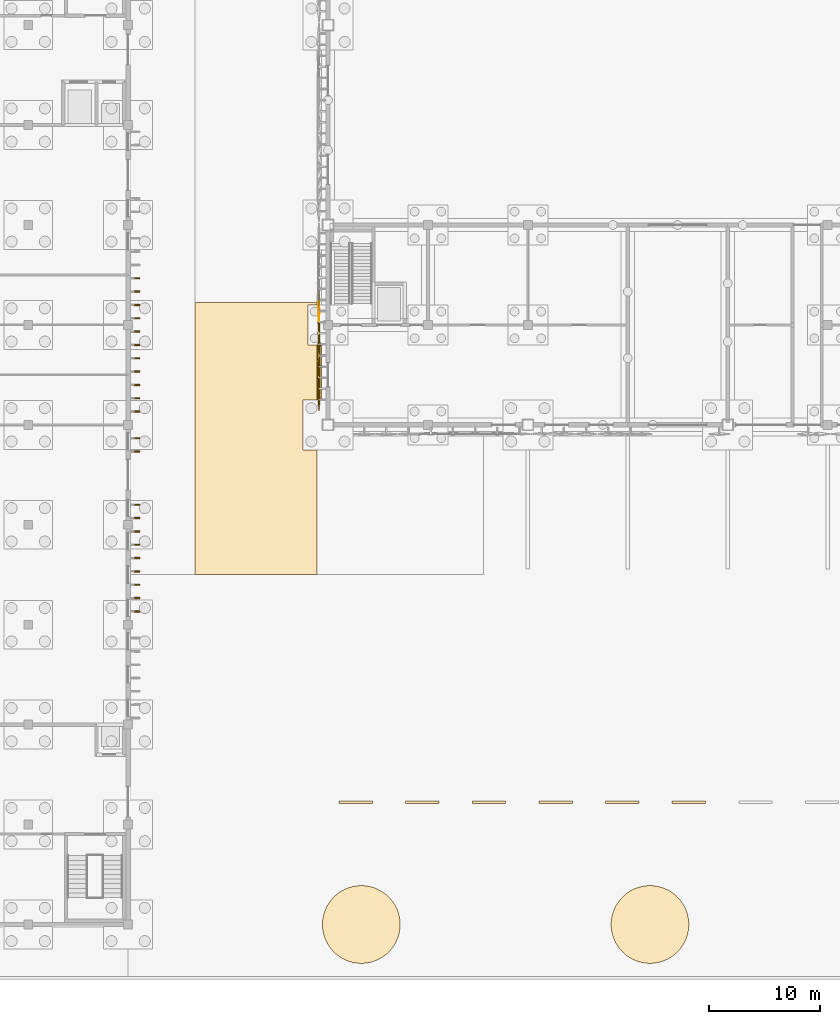
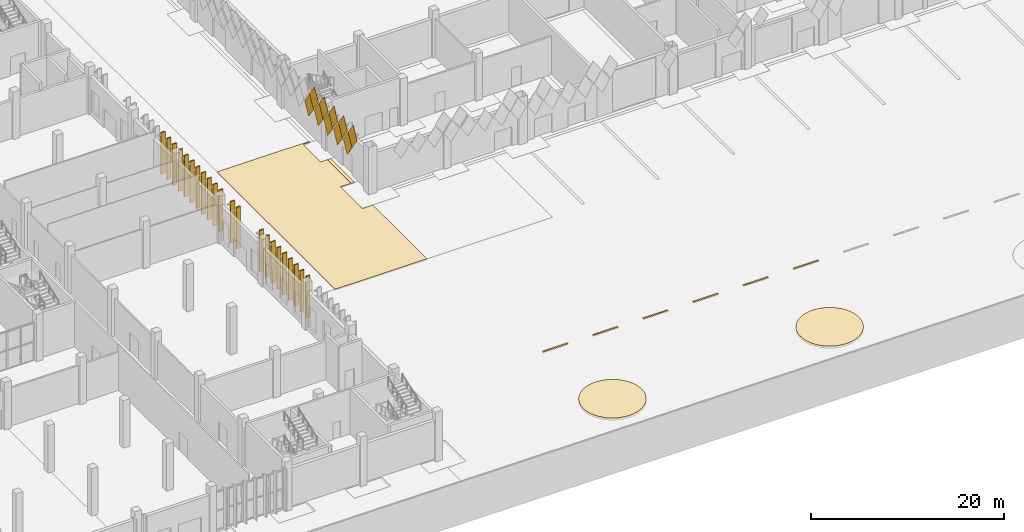
# One storey, part 140 of 198: 42 coverings.
"""IFC4 building model written with IfcOpenShell, lengths in metres."""

from ifc_helpers import new_model, si_unit, direction, frame, origin, origin_2d, place, context, subcontext, project, spatial, polyline, rectangle, outline, extrude, material, layer, layer_set, material_profile, profile_set, type_object, element, save


model = new_model("IFC4")

# Units and contexts
model_context = context("Model", 3, precision=1e-05, world=origin(), true_north=direction((0.0, 1.0)))
body_context = subcontext(model_context, "Body", "Model", "MODEL_VIEW")
ifc_project = project(units=[si_unit("LENGTHUNIT", "METRE"), si_unit("AREAUNIT", "SQUARE_METRE"), si_unit("VOLUMEUNIT", "CUBIC_METRE"), si_unit("PLANEANGLEUNIT", "RADIAN"), si_unit("MASSUNIT", "GRAM", prefix="KILO")], contexts=[model_context])

# Site, building, storey
site_placement = place(None, origin())
site = spatial("IfcSite", under=ifc_project, at=site_placement, CompositionType="ELEMENT")
building_placement = place(site_placement, origin())
building = spatial("IfcBuilding", under=site, at=building_placement, Name="Opaline Strait Convention Centre", CompositionType="ELEMENT")
storey_placement = place(building_placement, origin())
storey = spatial("IfcBuildingStorey", under=building, at=storey_placement, Name="L00", CompositionType="ELEMENT", Elevation=0.0)

# Coverings
ifc_material_1 = material(Name="White ceramic-faced aluminium tile", Category="aluminium")
ifc_material_profile_1 = material_profile(ifc_material_1, outline(polyline([(0.927978515625, 0.0), (0.0, 1.39208984375), (-0.927978515625, 0.0), (0.0, -1.39208984375), (0.927978515625, 0.0)])), Name="Diamond tile 1856x2784")
ifc_profile_set_1 = profile_set([ifc_material_profile_1], Name="White ceramic-faced aluminium tile")
covering_type_1 = type_object("IfcCoveringType", Name="Diamond wall tile 1856x2784x30 pivot 2.5 deg", PredefinedType="CLADDING", material=ifc_profile_set_1)
covering_1_placement = place(storey_placement, frame((98.199951171875, 64.25, 5.89208984375), z_axis=(-0.999174794796, 0.0, 0.040616861577), x_axis=(0.0, -1.0, 0.0)))
element("IfcCovering", 1, at=covering_1_placement, inside=storey, type_object=covering_type_1, Name="Wall tile XT05 W", PredefinedType="CLADDING", context=body_context, shape_type="SweptSolid", body=[
    extrude(outline(polyline([(0.927978515625, 0.0), (0.0, 1.39208984375), (-0.927978515625, 0.0), (0.0, -1.39208984375), (0.927978515625, 0.0)])), origin(), (0.0, 0.0, 1.0), 0.030029296875),
])
ifc_material_profile_2 = material_profile(ifc_material_1, outline(polyline([(0.927978515625, 0.0), (0.0, 1.39208984375), (-0.927978515625, 0.0), (0.0, -1.39208984375), (0.927978515625, 0.0)])), Name="Diamond tile 1856x2784")
ifc_profile_set_2 = profile_set([ifc_material_profile_2], Name="White ceramic-faced aluminium tile")
covering_type_2 = type_object("IfcCoveringType", Name="Diamond wall tile 1856x2784x30 pivot 3 deg", PredefinedType="CLADDING", material=ifc_profile_set_2)
for number, where, z_axis, x_axis, name in (
    (2, (98.199951171875, 65.25, 4.39208984375), (-0.998812351125, 0.0, 0.048722553713), (0.0, -1.0, 0.0), "Wall tile XT06 W"),
    (3, (98.199951171875, 57.25, 4.39208984375), (-0.998812351125, 0.0, 0.048722553713), (0.0, -1.0, 0.0), "Wall tile XT06 W"),
    (4, (98.199951171875, 56.25, 5.89208984375), (-0.998812351125, 0.0, 0.048722553713), (0.0, -1.0, 0.0), "Wall tile XT06 W"),
):
    element("IfcCovering", number, at=place(storey_placement, frame(where, z_axis=z_axis, x_axis=x_axis)), inside=storey, type_object=covering_type_2, Name=name, PredefinedType="CLADDING", context=body_context, shape_type="SweptSolid", body=[
        extrude(outline(polyline([(0.927978515625, 0.0), (0.0, 1.39208984375), (-0.927978515625, 0.0), (0.0, -1.39208984375), (0.927978515625, 0.0)])), origin(), (0.0, 0.0, 1.0), 0.030029296875),
    ])
ifc_material_profile_3 = material_profile(ifc_material_1, outline(polyline([(0.927978515625, 0.0), (0.0, 1.39208984375), (-0.927978515625, 0.0), (0.0, -1.39208984375), (0.927978515625, 0.0)])), Name="Diamond tile 1856x2784")
ifc_profile_set_3 = profile_set([ifc_material_profile_3], Name="White ceramic-faced aluminium tile")
covering_type_3 = type_object("IfcCoveringType", Name="Diamond wall tile 1856x2784x30 pivot 3.5 deg", PredefinedType="CLADDING", material=ifc_profile_set_3)
for number, where, z_axis, x_axis, name in (
    (5, (98.199951171875, 63.25, 4.39208984375), (-0.99835799028, 0.0, 0.057282835508), (0.0, -1.0, 0.0), "Wall tile XT07 W"),
    (6, (98.199951171875, 62.25, 5.89208984375), (-0.99835799028, 0.0, 0.057282835508), (0.0, -1.0, 0.0), "Wall tile XT07 W"),
    (7, (98.199951171875, 58.25, 5.89208984375), (-0.99835799028, 0.0, 0.057282835508), (0.0, -1.0, 0.0), "Wall tile XT07 W"),
):
    element("IfcCovering", number, at=place(storey_placement, frame(where, z_axis=z_axis, x_axis=x_axis)), inside=storey, type_object=covering_type_3, Name=name, PredefinedType="CLADDING", context=body_context, shape_type="SweptSolid", body=[
        extrude(outline(polyline([(0.927978515625, 0.0), (0.0, 1.39208984375), (-0.927978515625, 0.0), (0.0, -1.39208984375), (0.927978515625, 0.0)])), origin(), (0.0, 0.0, 1.0), 0.02978515625),
    ])
ifc_material_profile_4 = material_profile(ifc_material_1, outline(polyline([(0.927978515625, 0.0), (0.0, 1.39208984375), (-0.927978515625, 0.0), (0.0, -1.39208984375), (0.927978515625, 0.0)])), Name="Diamond tile 1856x2784")
ifc_profile_set_4 = profile_set([ifc_material_profile_4], Name="White ceramic-faced aluminium tile")
covering_type_4 = type_object("IfcCoveringType", Name="Diamond wall tile 1856x2784x30 pivot 4 deg", PredefinedType="CLADDING", material=ifc_profile_set_4)
for number, where, z_axis, x_axis, name in (
    (8, (98.199951171875, 59.25, 4.39208984375), (-0.99785694905, 0.0, 0.065433242561), (0.0, -1.0, 0.0), "Wall tile XT08 W"),
    (9, (98.199951171875, 60.25, 5.89208984375), (-0.99785694905, 0.0, 0.065433242561), (0.0, -1.0, 0.0), "Wall tile XT08 W"),
):
    element("IfcCovering", number, at=place(storey_placement, frame(where, z_axis=z_axis, x_axis=x_axis)), inside=storey, type_object=covering_type_4, Name=name, PredefinedType="CLADDING", context=body_context, shape_type="SweptSolid", body=[
        extrude(outline(polyline([(0.927978515625, 0.0), (0.0, 1.39208984375), (-0.927978515625, 0.0), (0.0, -1.39208984375), (0.927978515625, 0.0)])), origin(), (0.0, 0.0, 1.0), 0.02978515625),
    ])
ifc_material_profile_5 = material_profile(ifc_material_1, outline(polyline([(0.927978515625, 0.0), (0.0, 1.39208984375), (-0.927978515625, 0.0), (0.0, -1.39208984375), (0.927978515625, 0.0)])), Name="Diamond tile 1856x2784")
ifc_profile_set_5 = profile_set([ifc_material_profile_5], Name="White ceramic-faced aluminium tile")
covering_type_5 = type_object("IfcCoveringType", Name="Diamond wall tile 1856x2784x30 pivot 4.5 deg", PredefinedType="CLADDING", material=ifc_profile_set_5)
covering_2_placement = place(storey_placement, frame((98.199951171875, 61.25, 4.39208984375), z_axis=(-0.997290013252, 0.0, 0.073570574748), x_axis=(0.0, -1.0, 0.0)))
element("IfcCovering", 10, at=covering_2_placement, inside=storey, type_object=covering_type_5, Name="Wall tile XT09 W", PredefinedType="CLADDING", context=body_context, shape_type="SweptSolid", body=[
    extrude(outline(polyline([(0.927978515625, 0.0), (0.0, 1.39208984375), (-0.927978515625, 0.0), (0.0, -1.39208984375), (0.927978515625, 0.0)])), origin(), (0.0, 0.0, 1.0), 0.02978515625),
])
ifc_material_2 = material(Name="Limestone paving slabs on mortar bed", Category="masonry")
ifc_layer_1 = layer(ifc_material_2, 0.14990234375)
ifc_layer_set_1 = layer_set([ifc_layer_1], Name="Limestone paving slabs on mortar bed")
covering_type_6 = type_object("IfcCoveringType", Name="Limestone court paving 150", PredefinedType="FLOORING", material=ifc_layer_set_1)
covering_3_placement = place(storey_placement, frame((0.0, 0.0, -0.14990234375)))
element("IfcCovering", 11, at=covering_3_placement, inside=storey, type_object=covering_type_6, Name="West Court surfacing", PredefinedType="FLOORING", context=body_context, shape_type="SweptSolid", body=[
    extrude(outline(polyline([(87.0, 40.5), (98.0, 40.5), (98.0, 51.7451171875), (96.7451171875, 51.7451171875), (96.7451171875, 56.2548828125), (98.0, 56.2548828125), (98.0, 61.195068359375), (97.195068359375, 61.195068359375), (97.195068359375, 64.804931640625), (98.0, 64.804931640625), (98.0, 65.0), (87.0, 65.0), (87.0, 40.5)])), origin(), (0.0, 0.0, 1.0), 0.14990234375),
])
ifc_material_3 = material(Name="Planting soil and shrub planting")
ifc_layer_2 = layer(ifc_material_3, 0.300048828125)
ifc_layer_set_2 = layer_set([ifc_layer_2], Name="Planting soil and shrub planting")
covering_type_7 = type_object("IfcCoveringType", Name="Planted border bed 300", PredefinedType="USERDEFINED", material=ifc_layer_set_2)
covering_4_placement = place(storey_placement, frame((0.0, 0.0, -0.300048828125)))
element("IfcCovering", 12, at=covering_4_placement, inside=storey, type_object=covering_type_7, Name="Yard planting island 1 surfacing", ObjectType="LANDSCAPE", PredefinedType="USERDEFINED", context=body_context, shape_type="SweptSolid", body=[
    extrude(outline(polyline([(105.4326171875, 8.317138671875), (105.47021484375, 8.543212890625), (105.492431640625, 8.77099609375), (105.5, 9.0), (105.492431640625, 9.22900390625), (105.47021484375, 9.456787109375), (105.4326171875, 9.682861328125), (105.380615234375, 9.906005859375), (105.314208984375, 10.125), (105.233642578125, 10.33935546875), (105.13916015625, 10.548095703125), (105.031005859375, 10.75), (104.91015625, 10.944580078125), (104.776611328125, 11.130615234375), (104.63134765625, 11.3076171875), (104.474853515625, 11.474853515625), (104.3076171875, 11.63134765625), (104.130615234375, 11.776611328125), (103.944580078125, 11.91015625), (103.75, 12.031005859375), (103.548095703125, 12.13916015625), (103.33935546875, 12.233642578125), (103.125, 12.314208984375), (102.906005859375, 12.380615234375), (102.682861328125, 12.4326171875), (102.456787109375, 12.47021484375), (102.22900390625, 12.492431640625), (102.0, 12.5), (101.77099609375, 12.492431640625), (101.543212890625, 12.47021484375), (101.317138671875, 12.4326171875), (101.093994140625, 12.380615234375), (100.875, 12.314208984375), (100.66064453125, 12.233642578125), (100.451904296875, 12.13916015625), (100.25, 12.031005859375), (100.055419921875, 11.91015625), (99.869384765625, 11.776611328125), (99.6923828125, 11.63134765625), (99.525146484375, 11.474853515625), (99.36865234375, 11.3076171875), (99.223388671875, 11.130615234375), (99.08984375, 10.944580078125), (98.968994140625, 10.75), (98.86083984375, 10.548095703125), (98.766357421875, 10.33935546875), (98.685791015625, 10.125), (98.619384765625, 9.906005859375), (98.5673828125, 9.682861328125), (98.52978515625, 9.456787109375), (98.507568359375, 9.22900390625), (98.5, 9.0), (98.507568359375, 8.77099609375), (98.52978515625, 8.543212890625), (98.5673828125, 8.317138671875), (98.619384765625, 8.093994140625), (98.685791015625, 7.875), (98.766357421875, 7.66064453125), (98.86083984375, 7.451904296875), (98.968994140625, 7.25), (99.08984375, 7.055419921875), (99.223388671875, 6.869384765625), (99.36865234375, 6.6923828125), (99.525146484375, 6.525146484375), (99.6923828125, 6.36865234375), (99.869384765625, 6.223388671875), (100.055419921875, 6.08984375), (100.25, 5.968994140625), (100.451904296875, 5.86083984375), (100.66064453125, 5.766357421875), (100.875, 5.685791015625), (101.093994140625, 5.619384765625), (101.317138671875, 5.5673828125), (101.543212890625, 5.52978515625), (101.77099609375, 5.507568359375), (102.0, 5.5), (102.22900390625, 5.507568359375), (102.456787109375, 5.52978515625), (102.682861328125, 5.5673828125), (102.906005859375, 5.619384765625), (103.125, 5.685791015625), (103.33935546875, 5.766357421875), (103.548095703125, 5.86083984375), (103.75, 5.968994140625), (103.944580078125, 6.08984375), (104.130615234375, 6.223388671875), (104.3076171875, 6.36865234375), (104.474853515625, 6.525146484375), (104.63134765625, 6.6923828125), (104.776611328125, 6.869384765625), (104.91015625, 7.055419921875), (105.031005859375, 7.25), (105.13916015625, 7.451904296875), (105.233642578125, 7.66064453125), (105.314208984375, 7.875), (105.380615234375, 8.093994140625), (105.4326171875, 8.317138671875)])), origin(), (0.0, 0.0, 1.0), 0.300048828125),
])
covering_5_placement = place(storey_placement, frame((0.0, 0.0, -0.300048828125)))
element("IfcCovering", 13, at=covering_5_placement, inside=storey, type_object=covering_type_7, Name="Yard planting island 2 surfacing", ObjectType="LANDSCAPE", PredefinedType="USERDEFINED", context=body_context, shape_type="SweptSolid", body=[
    extrude(outline(polyline([(131.4326171875, 8.317138671875), (131.47021484375, 8.543212890625), (131.492431640625, 8.77099609375), (131.5, 9.0), (131.492431640625, 9.22900390625), (131.47021484375, 9.456787109375), (131.4326171875, 9.682861328125), (131.380615234375, 9.906005859375), (131.314208984375, 10.125), (131.233642578125, 10.33935546875), (131.13916015625, 10.548095703125), (131.031005859375, 10.75), (130.91015625, 10.944580078125), (130.776611328125, 11.130615234375), (130.63134765625, 11.3076171875), (130.474853515625, 11.474853515625), (130.3076171875, 11.63134765625), (130.130615234375, 11.776611328125), (129.944580078125, 11.91015625), (129.75, 12.031005859375), (129.548095703125, 12.13916015625), (129.33935546875, 12.233642578125), (129.125, 12.314208984375), (128.906005859375, 12.380615234375), (128.682861328125, 12.4326171875), (128.456787109375, 12.47021484375), (128.22900390625, 12.492431640625), (128.0, 12.5), (127.77099609375, 12.492431640625), (127.543212890625, 12.47021484375), (127.317138671875, 12.4326171875), (127.093994140625, 12.380615234375), (126.875, 12.314208984375), (126.66064453125, 12.233642578125), (126.451904296875, 12.13916015625), (126.25, 12.031005859375), (126.055419921875, 11.91015625), (125.869384765625, 11.776611328125), (125.6923828125, 11.63134765625), (125.525146484375, 11.474853515625), (125.36865234375, 11.3076171875), (125.223388671875, 11.130615234375), (125.08984375, 10.944580078125), (124.968994140625, 10.75), (124.86083984375, 10.548095703125), (124.766357421875, 10.33935546875), (124.685791015625, 10.125), (124.619384765625, 9.906005859375), (124.5673828125, 9.682861328125), (124.52978515625, 9.456787109375), (124.507568359375, 9.22900390625), (124.5, 9.0), (124.507568359375, 8.77099609375), (124.52978515625, 8.543212890625), (124.5673828125, 8.317138671875), (124.619384765625, 8.093994140625), (124.685791015625, 7.875), (124.766357421875, 7.66064453125), (124.86083984375, 7.451904296875), (124.968994140625, 7.25), (125.08984375, 7.055419921875), (125.223388671875, 6.869384765625), (125.36865234375, 6.6923828125), (125.525146484375, 6.525146484375), (125.6923828125, 6.36865234375), (125.869384765625, 6.223388671875), (126.055419921875, 6.08984375), (126.25, 5.968994140625), (126.451904296875, 5.86083984375), (126.66064453125, 5.766357421875), (126.875, 5.685791015625), (127.093994140625, 5.619384765625), (127.317138671875, 5.5673828125), (127.543212890625, 5.52978515625), (127.77099609375, 5.507568359375), (128.0, 5.5), (128.22900390625, 5.507568359375), (128.456787109375, 5.52978515625), (128.682861328125, 5.5673828125), (128.906005859375, 5.619384765625), (129.125, 5.685791015625), (129.33935546875, 5.766357421875), (129.548095703125, 5.86083984375), (129.75, 5.968994140625), (129.944580078125, 6.08984375), (130.130615234375, 6.223388671875), (130.3076171875, 6.36865234375), (130.474853515625, 6.525146484375), (130.63134765625, 6.6923828125), (130.776611328125, 6.869384765625), (130.91015625, 7.055419921875), (131.031005859375, 7.25), (131.13916015625, 7.451904296875), (131.233642578125, 7.66064453125), (131.314208984375, 7.875), (131.380615234375, 8.093994140625), (131.4326171875, 8.317138671875)])), origin(), (0.0, 0.0, 1.0), 0.300048828125),
])
ifc_material_4 = material(Name="Concrete C30 exposed aggregate", Category="concrete")
ifc_layer_3 = layer(ifc_material_4, 0.14990234375)
ifc_layer_set_3 = layer_set([ifc_layer_3], Name="Concrete C30 exposed aggregate")
covering_type_8 = type_object("IfcCoveringType", Name="Site paving 150", PredefinedType="FLOORING", material=ifc_layer_set_3)
covering_6_placement = place(storey_placement, frame((0.0, 0.0, -0.14990234375)))
element("IfcCovering", 14, at=covering_6_placement, inside=storey, type_object=covering_type_8, Name="Site paving surfacing", PredefinedType="FLOORING", context=body_context, shape_type="SweptSolid", body=[
    extrude(outline(polyline([(98.39501953125, 61.195068359375), (98.0, 61.195068359375), (98.0, 56.2548828125), (98.39501953125, 56.2548828125), (98.39501953125, 61.195068359375)])), origin(), (0.0, 0.0, 1.0), 0.14990234375),
])
ifc_material_5 = material(Name="Powder-coated white aluminium", Category="aluminium")
ifc_layer_4 = layer(ifc_material_5, 0.1201171875)
ifc_layer_set_4 = layer_set([ifc_layer_4], Name="Powder-coated white aluminium")
covering_type_9 = type_object("IfcCoveringType", Name="Storm louvre fin 120x500x5250", PredefinedType="CLADDING", material=ifc_layer_set_4)
for number, where, z_axis, x_axis, name in (
    (15, (81.800048828125, 37.199951171875, 0.300048828125), (0.0, 0.0, 1.0), (1.0, 0.0, 0.0), "Storm louvre fin E L00"),
    (16, (81.800048828125, 38.39990234375, 0.300048828125), (0.0, 0.0, 1.0), (1.0, 0.0, 0.0), "Storm louvre fin E L00"),
    (17, (81.800048828125, 39.60009765625, 0.300048828125), (0.0, 0.0, 1.0), (1.0, 0.0, 0.0), "Storm louvre fin E L00"),
    (18, (81.800048828125, 40.800048828125, 0.300048828125), (0.0, 0.0, 1.0), (1.0, 0.0, 0.0), "Storm louvre fin E L00"),
    (19, (81.800048828125, 42.0, 0.300048828125), (0.0, 0.0, 1.0), (1.0, 0.0, 0.0), "Storm louvre fin E L00"),
    (20, (81.800048828125, 43.199951171875, 0.300048828125), (0.0, 0.0, 1.0), (1.0, 0.0, 0.0), "Storm louvre fin E L00"),
    (21, (81.800048828125, 44.39990234375, 0.300048828125), (0.0, 0.0, 1.0), (1.0, 0.0, 0.0), "Storm louvre fin E L00"),
    (22, (81.800048828125, 45.60009765625, 0.300048828125), (0.0, 0.0, 1.0), (1.0, 0.0, 0.0), "Storm louvre fin E L00"),
    (23, (81.800048828125, 46.800048828125, 0.300048828125), (0.0, 0.0, 1.0), (1.0, 0.0, 0.0), "Storm louvre fin E L00"),
    (24, (81.800048828125, 51.60009765625, 0.300048828125), (0.0, 0.0, 1.0), (1.0, 0.0, 0.0), "Storm louvre fin E L00"),
    (25, (81.800048828125, 52.800048828125, 0.300048828125), (0.0, 0.0, 1.0), (1.0, 0.0, 0.0), "Storm louvre fin E L00"),
    (26, (81.800048828125, 55.199951171875, 0.300048828125), (0.0, 0.0, 1.0), (1.0, 0.0, 0.0), "Storm louvre fin E L00"),
    (27, (81.800048828125, 56.39990234375, 0.300048828125), (0.0, 0.0, 1.0), (1.0, 0.0, 0.0), "Storm louvre fin E L00"),
    (28, (81.800048828125, 57.60009765625, 0.300048828125), (0.0, 0.0, 1.0), (1.0, 0.0, 0.0), "Storm louvre fin E L00"),
    (29, (81.800048828125, 58.800048828125, 0.300048828125), (0.0, 0.0, 1.0), (1.0, 0.0, 0.0), "Storm louvre fin E L00"),
    (30, (81.800048828125, 60.0, 0.300048828125), (0.0, 0.0, 1.0), (1.0, 0.0, 0.0), "Storm louvre fin E L00"),
    (31, (81.800048828125, 61.199951171875, 0.300048828125), (0.0, 0.0, 1.0), (1.0, 0.0, 0.0), "Storm louvre fin E L00"),
    (32, (81.800048828125, 62.39990234375, 0.300048828125), (0.0, 0.0, 1.0), (1.0, 0.0, 0.0), "Storm louvre fin E L00"),
    (33, (81.800048828125, 63.60009765625, 0.300048828125), (0.0, 0.0, 1.0), (1.0, 0.0, 0.0), "Storm louvre fin E L00"),
    (34, (81.800048828125, 64.800048828125, 0.300048828125), (0.0, 0.0, 1.0), (1.0, 0.0, 0.0), "Storm louvre fin E L00"),
    (35, (81.800048828125, 66.0, 0.300048828125), (0.0, 0.0, 1.0), (1.0, 0.0, 0.0), "Storm louvre fin E L00"),
    (36, (81.800048828125, 67.199951171875, 0.300048828125), (0.0, 0.0, 1.0), (1.0, 0.0, 0.0), "Storm louvre fin E L00"),
):
    element("IfcCovering", number, at=place(storey_placement, frame(where, z_axis=z_axis, x_axis=x_axis)), inside=storey, type_object=covering_type_9, Name=name, PredefinedType="CLADDING", context=body_context, shape_type="SweptSolid", body=[
        extrude(rectangle(XDim=0.5, YDim=0.1201171875, at=origin_2d()), origin(), (0.0, 0.0, 1.0), 5.25),
    ])
ifc_material_6 = material(Name="Road marking paint on concrete", Category="concrete")
ifc_layer_5 = layer(ifc_material_6, 0.14990234375)
ifc_layer_set_5 = layer_set([ifc_layer_5], Name="Road marking paint on concrete")
covering_type_10 = type_object("IfcCoveringType", Name="Yard marking strip 150", PredefinedType="FLOORING", material=ifc_layer_set_5)
covering_7_placement = place(storey_placement, frame((0.0, 0.0, -0.14990234375)))
element("IfcCovering", 37, at=covering_7_placement, inside=storey, type_object=covering_type_10, Name="Yard centre line dash 1 surfacing", PredefinedType="FLOORING", context=body_context, shape_type="SweptSolid", body=[
    extrude(outline(polyline([(103.0, 20.10009765625), (100.0, 20.10009765625), (100.0, 19.89990234375), (103.0, 19.89990234375), (103.0, 20.10009765625)])), origin(), (0.0, 0.0, 1.0), 0.14990234375),
])
covering_8_placement = place(storey_placement, frame((0.0, 0.0, -0.14990234375)))
element("IfcCovering", 38, at=covering_8_placement, inside=storey, type_object=covering_type_10, Name="Yard centre line dash 2 surfacing", PredefinedType="FLOORING", context=body_context, shape_type="SweptSolid", body=[
    extrude(outline(polyline([(109.0, 20.10009765625), (106.0, 20.10009765625), (106.0, 19.89990234375), (109.0, 19.89990234375), (109.0, 20.10009765625)])), origin(), (0.0, 0.0, 1.0), 0.14990234375),
])
covering_9_placement = place(storey_placement, frame((0.0, 0.0, -0.14990234375)))
element("IfcCovering", 39, at=covering_9_placement, inside=storey, type_object=covering_type_10, Name="Yard centre line dash 3 surfacing", PredefinedType="FLOORING", context=body_context, shape_type="SweptSolid", body=[
    extrude(outline(polyline([(115.0, 20.10009765625), (112.0, 20.10009765625), (112.0, 19.89990234375), (115.0, 19.89990234375), (115.0, 20.10009765625)])), origin(), (0.0, 0.0, 1.0), 0.14990234375),
])
covering_10_placement = place(storey_placement, frame((0.0, 0.0, -0.14990234375)))
element("IfcCovering", 40, at=covering_10_placement, inside=storey, type_object=covering_type_10, Name="Yard centre line dash 4 surfacing", PredefinedType="FLOORING", context=body_context, shape_type="SweptSolid", body=[
    extrude(outline(polyline([(121.0, 20.10009765625), (118.0, 20.10009765625), (118.0, 19.89990234375), (121.0, 19.89990234375), (121.0, 20.10009765625)])), origin(), (0.0, 0.0, 1.0), 0.14990234375),
])
covering_11_placement = place(storey_placement, frame((0.0, 0.0, -0.14990234375)))
element("IfcCovering", 41, at=covering_11_placement, inside=storey, type_object=covering_type_10, Name="Yard centre line dash 5 surfacing", PredefinedType="FLOORING", context=body_context, shape_type="SweptSolid", body=[
    extrude(outline(polyline([(127.0, 20.10009765625), (124.0, 20.10009765625), (124.0, 19.89990234375), (127.0, 19.89990234375), (127.0, 20.10009765625)])), origin(), (0.0, 0.0, 1.0), 0.14990234375),
])
covering_12_placement = place(storey_placement, frame((0.0, 0.0, -0.14990234375)))
element("IfcCovering", 42, at=covering_12_placement, inside=storey, type_object=covering_type_10, Name="Yard centre line dash 6 surfacing", PredefinedType="FLOORING", context=body_context, shape_type="SweptSolid", body=[
    extrude(outline(polyline([(133.0, 20.10009765625), (130.0, 20.10009765625), (130.0, 19.89990234375), (133.0, 19.89990234375), (133.0, 20.10009765625)])), origin(), (0.0, 0.0, 1.0), 0.14990234375),
])

save(model, "model.ifc")
